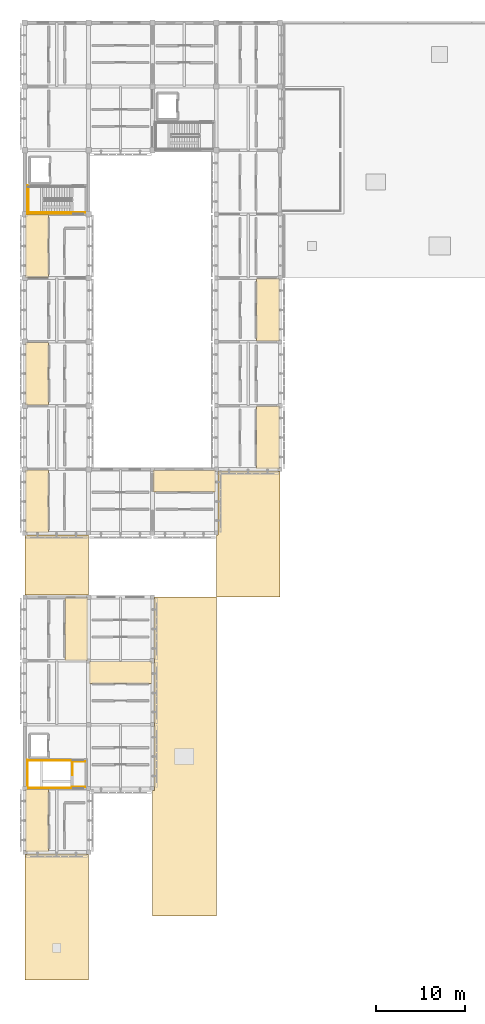
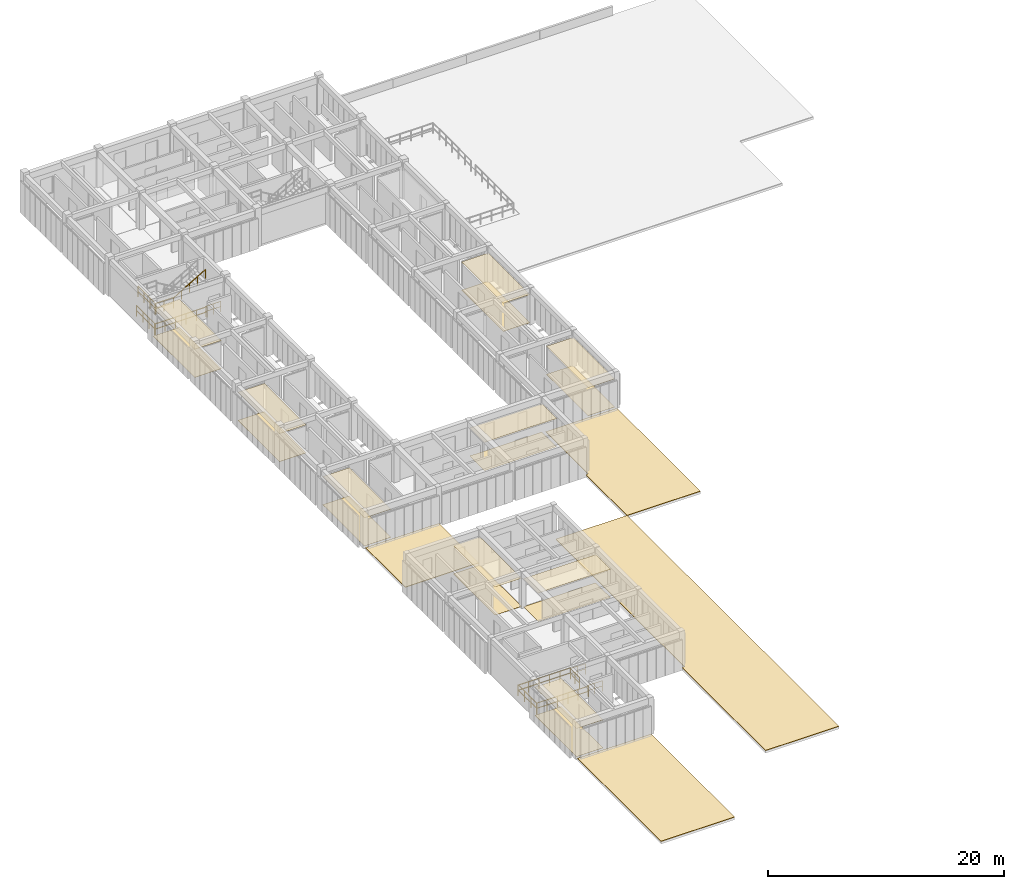
# One storey, part 64 of 67: 22 coverings, 12 railings.
"""IFC4 building model written with IfcOpenShell, lengths in metres."""

from ifc_helpers import new_model, si_unit, direction, frame, origin, origin_2d, place, context, subcontext, project, spatial, polyline, circle, outline, extrude, material, layer, layer_set, type_object, element, save


model = new_model("IFC4")

# Units and contexts
model_context = context("Model", 3, precision=1e-05, world=origin(), true_north=direction((0.0, 1.0)))
body_context = subcontext(model_context, "Body", "Model", "MODEL_VIEW")
ifc_project = project(units=[si_unit("LENGTHUNIT", "METRE"), si_unit("AREAUNIT", "SQUARE_METRE"), si_unit("VOLUMEUNIT", "CUBIC_METRE"), si_unit("PLANEANGLEUNIT", "RADIAN"), si_unit("MASSUNIT", "GRAM", prefix="KILO")], contexts=[model_context])

# Site, building, storey
site_placement = place(None, origin())
site = spatial("IfcSite", under=ifc_project, at=site_placement, CompositionType="ELEMENT")
building_placement = place(site_placement, origin())
building = spatial("IfcBuilding", under=site, at=building_placement, Name="Aldebral Square Health Centre", CompositionType="ELEMENT")
storey_placement = place(building_placement, frame((0.0, 0.0, 13.5)))
storey = spatial("IfcBuildingStorey", under=building, at=storey_placement, Name="L03", CompositionType="ELEMENT", Elevation=13.5)

# Coverings
ifc_material_1 = material(Name="Hygienic acoustic mineral ceiling tile")
ifc_layer_1 = layer(ifc_material_1, 0.02001953125, Name="Hygienic acoustic mineral ceiling tile")
ifc_layer_set_1 = layer_set([ifc_layer_1], Name="Hygienic acoustic mineral ceiling tile")
covering_type_1 = type_object("IfcCoveringType", Name="COV-CLG-AC", PredefinedType="CEILING", material=ifc_layer_set_1)
covering_1_placement = place(storey_placement, frame((0.0, 0.0, 2.909912109375)))
element("IfcCovering", 1, at=covering_1_placement, inside=storey, type_object=covering_type_1, Name="L03 Dental Clinic Operatory 1.9W acoustic ceiling", PredefinedType="CEILING", context=body_context, shape_type="SweptSolid", body=[
    extrude(outline(polyline([(0.06005859375, 57.659912109375), (2.659912109375, 57.659912109375), (2.659912109375, 64.739990234375), (0.06005859375, 64.739990234375), (0.06005859375, 57.659912109375)])), origin(), (0.0, 0.0, 1.0), 0.02001953125),
])
covering_2_placement = place(storey_placement, frame((0.0, 0.0, 2.909912109375)))
element("IfcCovering", 2, at=covering_2_placement, inside=storey, type_object=covering_type_1, Name="L03 Paediatric Examination Room 1.11W acoustic ceiling", PredefinedType="CEILING", context=body_context, shape_type="SweptSolid", body=[
    extrude(outline(polyline([(0.06005859375, 72.06005859375), (2.659912109375, 72.06005859375), (2.659912109375, 79.139892578125), (0.06005859375, 79.139892578125), (0.06005859375, 72.06005859375)])), origin(), (0.0, 0.0, 1.0), 0.02001953125),
])
covering_3_placement = place(storey_placement, frame((0.0, 0.0, 2.909912109375)))
element("IfcCovering", 3, at=covering_3_placement, inside=storey, type_object=covering_type_1, Name="L03 Dental Sterilization Room 1.13W acoustic ceiling", PredefinedType="CEILING", context=body_context, shape_type="SweptSolid", body=[
    extrude(outline(polyline([(0.06005859375, 86.4599609375), (2.659912109375, 86.4599609375), (2.659912109375, 93.5400390625), (0.06005859375, 93.5400390625), (0.06005859375, 86.4599609375)])), origin(), (0.0, 0.0, 1.0), 0.02001953125),
])
covering_4_placement = place(storey_placement, frame((0.0, 0.0, 2.909912109375)))
element("IfcCovering", 4, at=covering_4_placement, inside=storey, type_object=covering_type_1, Name="L03 Staff Toilet 3.9N acoustic ceiling", PredefinedType="CEILING", context=body_context, shape_type="SweptSolid", body=[
    extrude(outline(polyline([(14.4599609375, 62.239990234375), (21.5400390625, 62.239990234375), (21.5400390625, 64.739990234375), (14.4599609375, 64.739990234375), (14.4599609375, 62.239990234375)])), origin(), (0.0, 0.0, 1.0), 0.02001953125),
])
covering_5_placement = place(storey_placement, frame((0.0, 0.0, 2.909912109375)))
element("IfcCovering", 5, at=covering_5_placement, inside=storey, type_object=covering_type_1, Name="L03 Oral Hygiene Suite 4.10E acoustic ceiling", PredefinedType="CEILING", context=body_context, shape_type="SweptSolid", body=[
    extrude(outline(polyline([(26.139892578125, 64.860107421875), (28.739990234375, 64.860107421875), (28.739990234375, 71.93994140625), (26.139892578125, 71.93994140625), (26.139892578125, 64.860107421875)])), origin(), (0.0, 0.0, 1.0), 0.02001953125),
])
covering_6_placement = place(storey_placement, frame((0.0, 0.0, 2.909912109375)))
element("IfcCovering", 6, at=covering_6_placement, inside=storey, type_object=covering_type_1, Name="L03 Dental Clinic Operatory 4.12E acoustic ceiling", PredefinedType="CEILING", context=body_context, shape_type="SweptSolid", body=[
    extrude(outline(polyline([(26.139892578125, 79.260009765625), (28.739990234375, 79.260009765625), (28.739990234375, 86.340087890625), (26.139892578125, 86.340087890625), (26.139892578125, 79.260009765625)])), origin(), (0.0, 0.0, 1.0), 0.02001953125),
])
covering_7_placement = place(storey_placement, frame((0.0, 0.0, 2.909912109375)))
element("IfcCovering", 7, at=covering_7_placement, inside=storey, type_object=covering_type_1, Name="L03 Health Education Studio 1.4W acoustic ceiling", PredefinedType="CEILING", context=body_context, shape_type="SweptSolid", body=[
    extrude(outline(polyline([(0.06005859375, 21.659912109375), (2.659912109375, 21.659912109375), (2.659912109375, 28.739990234375), (0.06005859375, 28.739990234375), (0.06005859375, 21.659912109375)])), origin(), (0.0, 0.0, 1.0), 0.02001953125),
])
covering_8_placement = place(storey_placement, frame((0.0, 0.0, 2.909912109375)))
element("IfcCovering", 8, at=covering_8_placement, inside=storey, type_object=covering_type_1, Name="L03 Health Education Studio 1.7E acoustic ceiling", PredefinedType="CEILING", context=body_context, shape_type="SweptSolid", body=[
    extrude(outline(polyline([(4.5400390625, 43.260009765625), (7.139892578125, 43.260009765625), (7.139892578125, 50.340087890625), (4.5400390625, 50.340087890625), (4.5400390625, 43.260009765625)])), origin(), (0.0, 0.0, 1.0), 0.02001953125),
])
covering_9_placement = place(storey_placement, frame((0.0, 0.0, 2.909912109375)))
element("IfcCovering", 9, at=covering_9_placement, inside=storey, type_object=covering_type_1, Name="L03 Health Education Studio 2.6N acoustic ceiling", PredefinedType="CEILING", context=body_context, shape_type="SweptSolid", body=[
    extrude(outline(polyline([(7.260009765625, 40.639892578125), (14.340087890625, 40.639892578125), (14.340087890625, 43.139892578125), (7.260009765625, 43.139892578125), (7.260009765625, 40.639892578125)])), origin(), (0.0, 0.0, 1.0), 0.02001953125),
])
ifc_material_2 = material(Name="Antimicrobial clinical vinyl flooring")
ifc_layer_2 = layer(ifc_material_2, 0.014892578125, Name="Antimicrobial clinical vinyl flooring")
ifc_layer_set_2 = layer_set([ifc_layer_2], Name="Antimicrobial clinical vinyl flooring")
covering_type_2 = type_object("IfcCoveringType", Name="COV-FLR-VN", PredefinedType="FLOORING", material=ifc_layer_set_2)
covering_10_placement = place(storey_placement, origin())
element("IfcCovering", 10, at=covering_10_placement, inside=storey, type_object=covering_type_2, Name="L03 Dental Clinic Operatory 1.9W clinical flooring", PredefinedType="FLOORING", context=body_context, shape_type="SweptSolid", body=[
    extrude(outline(polyline([(0.06005859375, 57.659912109375), (2.659912109375, 57.659912109375), (2.659912109375, 64.739990234375), (0.06005859375, 64.739990234375), (0.06005859375, 57.659912109375)])), origin(), (0.0, 0.0, 1.0), 0.014892578125),
])
covering_11_placement = place(storey_placement, origin())
element("IfcCovering", 11, at=covering_11_placement, inside=storey, type_object=covering_type_2, Name="L03 Paediatric Examination Room 1.11W clinical flooring", PredefinedType="FLOORING", context=body_context, shape_type="SweptSolid", body=[
    extrude(outline(polyline([(0.06005859375, 72.06005859375), (2.659912109375, 72.06005859375), (2.659912109375, 79.139892578125), (0.06005859375, 79.139892578125), (0.06005859375, 72.06005859375)])), origin(), (0.0, 0.0, 1.0), 0.014892578125),
])
covering_12_placement = place(storey_placement, origin())
element("IfcCovering", 12, at=covering_12_placement, inside=storey, type_object=covering_type_2, Name="L03 Dental Sterilization Room 1.13W clinical flooring", PredefinedType="FLOORING", context=body_context, shape_type="SweptSolid", body=[
    extrude(outline(polyline([(0.06005859375, 86.4599609375), (2.659912109375, 86.4599609375), (2.659912109375, 93.5400390625), (0.06005859375, 93.5400390625), (0.06005859375, 86.4599609375)])), origin(), (0.0, 0.0, 1.0), 0.014892578125),
])
covering_13_placement = place(storey_placement, origin())
element("IfcCovering", 13, at=covering_13_placement, inside=storey, type_object=covering_type_2, Name="L03 Staff Toilet 3.9N clinical flooring", PredefinedType="FLOORING", context=body_context, shape_type="SweptSolid", body=[
    extrude(outline(polyline([(14.4599609375, 62.239990234375), (21.5400390625, 62.239990234375), (21.5400390625, 64.739990234375), (14.4599609375, 64.739990234375), (14.4599609375, 62.239990234375)])), origin(), (0.0, 0.0, 1.0), 0.014892578125),
])
covering_14_placement = place(storey_placement, origin())
element("IfcCovering", 14, at=covering_14_placement, inside=storey, type_object=covering_type_2, Name="L03 Oral Hygiene Suite 4.10E clinical flooring", PredefinedType="FLOORING", context=body_context, shape_type="SweptSolid", body=[
    extrude(outline(polyline([(26.139892578125, 64.860107421875), (28.739990234375, 64.860107421875), (28.739990234375, 71.93994140625), (26.139892578125, 71.93994140625), (26.139892578125, 64.860107421875)])), origin(), (0.0, 0.0, 1.0), 0.014892578125),
])
covering_15_placement = place(storey_placement, origin())
element("IfcCovering", 15, at=covering_15_placement, inside=storey, type_object=covering_type_2, Name="L03 Dental Clinic Operatory 4.12E clinical flooring", PredefinedType="FLOORING", context=body_context, shape_type="SweptSolid", body=[
    extrude(outline(polyline([(26.139892578125, 79.260009765625), (28.739990234375, 79.260009765625), (28.739990234375, 86.340087890625), (26.139892578125, 86.340087890625), (26.139892578125, 79.260009765625)])), origin(), (0.0, 0.0, 1.0), 0.014892578125),
])
covering_16_placement = place(storey_placement, origin())
element("IfcCovering", 16, at=covering_16_placement, inside=storey, type_object=covering_type_2, Name="L03 Health Education Studio 1.4W clinical flooring", PredefinedType="FLOORING", context=body_context, shape_type="SweptSolid", body=[
    extrude(outline(polyline([(0.06005859375, 21.659912109375), (2.659912109375, 21.659912109375), (2.659912109375, 28.739990234375), (0.06005859375, 28.739990234375), (0.06005859375, 21.659912109375)])), origin(), (0.0, 0.0, 1.0), 0.014892578125),
])
covering_17_placement = place(storey_placement, origin())
element("IfcCovering", 17, at=covering_17_placement, inside=storey, type_object=covering_type_2, Name="L03 Health Education Studio 1.7E clinical flooring", PredefinedType="FLOORING", context=body_context, shape_type="SweptSolid", body=[
    extrude(outline(polyline([(4.5400390625, 43.260009765625), (7.139892578125, 43.260009765625), (7.139892578125, 50.340087890625), (4.5400390625, 50.340087890625), (4.5400390625, 43.260009765625)])), origin(), (0.0, 0.0, 1.0), 0.014892578125),
])
covering_18_placement = place(storey_placement, origin())
element("IfcCovering", 18, at=covering_18_placement, inside=storey, type_object=covering_type_2, Name="L03 Health Education Studio 2.6N clinical flooring", PredefinedType="FLOORING", context=body_context, shape_type="SweptSolid", body=[
    extrude(outline(polyline([(7.260009765625, 40.639892578125), (14.340087890625, 40.639892578125), (14.340087890625, 43.139892578125), (7.260009765625, 43.139892578125), (7.260009765625, 40.639892578125)])), origin(), (0.0, 0.0, 1.0), 0.014892578125),
])
ifc_material_3 = material(Name="Reflective insulated membrane roofing")
ifc_layer_3 = layer(ifc_material_3, 0.050048828125, Name="Reflective insulated membrane roofing")
ifc_layer_set_3 = layer_set([ifc_layer_3], Name="Reflective insulated membrane roofing")
covering_type_3 = type_object("IfcCoveringType", Name="COV-RF-50", PredefinedType="ROOFING", material=ifc_layer_set_3)
covering_19_placement = place(storey_placement, origin())
element("IfcCovering", 19, at=covering_19_placement, inside=storey, type_object=covering_type_3, Name="L02 V4 roof slab 1 insulated roof membrane", PredefinedType="ROOFING", context=body_context, shape_type="SweptSolid", body=[
    extrude(outline(polyline([(0.0, 57.3798828125), (7.199951171875, 57.3798828125), (7.199951171875, 50.6201171875), (0.0, 50.6201171875), (0.0, 57.3798828125)])), origin(), (0.0, 0.0, 1.0), 0.050048828125),
])
covering_20_placement = place(storey_placement, origin())
element("IfcCovering", 20, at=covering_20_placement, inside=storey, type_object=covering_type_3, Name="L02 V4 roof slab 2 insulated roof membrane", PredefinedType="ROOFING", context=body_context, shape_type="SweptSolid", body=[
    extrude(outline(polyline([(21.60009765625, 57.3798828125), (21.820068359375, 57.3798828125), (21.820068359375, 64.580078125), (28.800048828125, 64.580078125), (28.800048828125, 57.60009765625), (28.800048828125, 50.39990234375), (21.60009765625, 50.39990234375), (21.60009765625, 57.3798828125)])), origin(), (0.0, 0.0, 1.0), 0.050048828125),
])
covering_21_placement = place(storey_placement, origin())
element("IfcCovering", 21, at=covering_21_placement, inside=storey, type_object=covering_type_3, Name="L02 V6 roof slab 1 insulated roof membrane", PredefinedType="ROOFING", context=body_context, shape_type="SweptSolid", body=[
    extrude(outline(polyline([(0.0, 14.39990234375), (0.0, 21.3798828125), (7.199951171875, 21.3798828125), (7.199951171875, 14.39990234375), (7.199951171875, 7.199951171875), (0.0, 7.199951171875), (0.0, 14.39990234375)])), origin(), (0.0, 0.0, 1.0), 0.050048828125),
])
covering_22_placement = place(storey_placement, origin())
element("IfcCovering", 22, at=covering_22_placement, inside=storey, type_object=covering_type_3, Name="L02 V6 roof slab 2 insulated roof membrane", PredefinedType="ROOFING", context=body_context, shape_type="SweptSolid", body=[
    extrude(outline(polyline([(14.39990234375, 14.39990234375), (14.39990234375, 21.60009765625), (14.39990234375, 28.580078125), (14.6201171875, 28.580078125), (14.6201171875, 50.39990234375), (21.60009765625, 50.39990234375), (21.60009765625, 43.199951171875), (21.60009765625, 36.0), (21.60009765625, 28.800048828125), (21.60009765625, 21.60009765625), (21.60009765625, 14.39990234375), (14.39990234375, 14.39990234375)])), origin(), (0.0, 0.0, 1.0), 0.050048828125),
])

# Railings
ifc_material_4 = material(Name="Painted steel S355JR stair guard", Category="steel")
railing_type_1 = type_object("IfcRailingType", Name="RL-ST-GRD", PredefinedType="GUARDRAIL", material=ifc_material_4)
railing_1_placement = place(storey_placement, frame((2.18505859375, 93.77001953125, 2.02490234375)))
element("IfcRailing", 23, at=railing_1_placement, inside=storey, type_object=railing_type_1, Name="L03 ST-01 stair guard 4", PredefinedType="GUARDRAIL", context=body_context, shape_type="SweptSolid", body=[
    extrude(circle(Radius=0.02392578125, at=origin_2d()), frame((0.0, 0.0, 1.09619140625), z_axis=(-1.0, 0.0, 0.0), x_axis=(0.0, -1.0, 0.0)), (0.0, 0.0, 1.0), 1.80517578125),
    extrude(circle(Radius=0.02392578125, at=origin_2d()), frame((0.0, 0.0, 0.56005859375), z_axis=(-1.0, 0.0, 0.0), x_axis=(0.0, -1.0, 0.0)), (0.0, 0.0, 1.0), 1.80517578125),
    extrude(circle(Radius=0.02099609375, at=origin_2d()), origin(), (0.0, 0.0, 1.0), 1.072021484375),
    extrude(circle(Radius=0.02099609375, at=origin_2d()), frame((-0.902587890625, 0.0, 0.0)), (0.0, 0.0, 1.0), 1.072021484375),
    extrude(circle(Radius=0.02099609375, at=origin_2d()), frame((-1.80517578125, 0.0, 0.0)), (0.0, 0.0, 1.0), 1.072021484375),
])
railing_2_placement = place(storey_placement, frame((0.429931640625, 96.719970703125, 2.02490234375)))
element("IfcRailing", 24, at=railing_2_placement, inside=storey, type_object=railing_type_1, Name="L03 ST-01 stair guard 5", PredefinedType="GUARDRAIL", context=body_context, shape_type="SweptSolid", body=[
    extrude(circle(Radius=0.02392578125, at=origin_2d()), frame((0.0, 0.0, 1.09619140625), z_axis=(0.0, -1.0, 0.0), x_axis=(1.0, 0.0, 0.0)), (0.0, 0.0, 1.0), 3.0),
    extrude(circle(Radius=0.02392578125, at=origin_2d()), frame((0.0, 0.0, 0.56005859375), z_axis=(0.0, -1.0, 0.0), x_axis=(1.0, 0.0, 0.0)), (0.0, 0.0, 1.0), 3.0),
    extrude(circle(Radius=0.02099609375, at=origin_2d()), origin(), (0.0, 0.0, 1.0), 1.072021484375),
    extrude(circle(Radius=0.02099609375, at=origin_2d()), frame((0.0, -1.0, 0.0)), (0.0, 0.0, 1.0), 1.072021484375),
    extrude(circle(Radius=0.02099609375, at=origin_2d()), frame((0.0, -2.0, 0.0)), (0.0, 0.0, 1.0), 1.072021484375),
    extrude(circle(Radius=0.02099609375, at=origin_2d()), frame((0.0, -3.0, 0.0)), (0.0, 0.0, 1.0), 1.072021484375),
])
railing_3_placement = place(storey_placement, frame((6.820068359375, 93.77001953125, 0.0)))
element("IfcRailing", 25, at=railing_3_placement, inside=storey, type_object=railing_type_1, Name="L03 ST-01 stair guard 9", PredefinedType="GUARDRAIL", context=body_context, shape_type="SweptSolid", body=[
    extrude(circle(Radius=0.02392578125, at=origin_2d()), frame((0.0, 0.0, 1.09619140625), z_axis=(-1.0, 0.0, 0.0), x_axis=(0.0, -1.0, 0.0)), (0.0, 0.0, 1.0), 1.5),
    extrude(circle(Radius=0.02392578125, at=origin_2d()), frame((0.0, 0.0, 0.56005859375), z_axis=(-1.0, 0.0, 0.0), x_axis=(0.0, -1.0, 0.0)), (0.0, 0.0, 1.0), 1.5),
    extrude(circle(Radius=0.02099609375, at=origin_2d()), origin(), (0.0, 0.0, 1.0), 1.072021484375),
    extrude(circle(Radius=0.02099609375, at=origin_2d()), frame((-0.75, 0.0, 0.0)), (0.0, 0.0, 1.0), 1.072021484375),
    extrude(circle(Radius=0.02099609375, at=origin_2d()), frame((-1.5, 0.0, 0.0)), (0.0, 0.0, 1.0), 1.072021484375),
])
railing_4_placement = place(storey_placement, frame((5.419921875, 93.669921875, 0.0)))
element("IfcRailing", 26, at=railing_4_placement, inside=storey, type_object=railing_type_1, Name="L03 ST-01 stair guard 11", PredefinedType="GUARDRAIL", context=body_context, shape_type="SweptSolid", body=[
    extrude(circle(Radius=0.02392578125, at=origin_2d()), frame((0.0, 0.0, 1.09619140625), z_axis=(-1.0, 0.0, 0.0), x_axis=(0.0, -1.0, 0.0)), (0.0, 0.0, 1.0), 5.139892578125),
    extrude(circle(Radius=0.02392578125, at=origin_2d()), frame((0.0, 0.0, 0.56005859375), z_axis=(-1.0, 0.0, 0.0), x_axis=(0.0, -1.0, 0.0)), (0.0, 0.0, 1.0), 5.139892578125),
    extrude(circle(Radius=0.02099609375, at=origin_2d()), origin(), (0.0, 0.0, 1.0), 1.072021484375),
    extrude(circle(Radius=0.02099609375, at=origin_2d()), frame((-1.028076171875, 0.0, 0.0)), (0.0, 0.0, 1.0), 1.072021484375),
    extrude(circle(Radius=0.02099609375, at=origin_2d()), frame((-2.055908203125, 0.0, 0.0)), (0.0, 0.0, 1.0), 1.072021484375),
    extrude(circle(Radius=0.02099609375, at=origin_2d()), frame((-3.083984375, 0.0, 0.0)), (0.0, 0.0, 1.0), 1.072021484375),
    extrude(circle(Radius=0.02099609375, at=origin_2d()), frame((-4.11181640625, 0.0, 0.0)), (0.0, 0.0, 1.0), 1.072021484375),
    extrude(circle(Radius=0.02099609375, at=origin_2d()), frame((-5.139892578125, 0.0, 0.0)), (0.0, 0.0, 1.0), 1.072021484375),
])
railing_5_placement = place(storey_placement, frame((0.330078125, 96.820068359375, 0.0)))
element("IfcRailing", 27, at=railing_5_placement, inside=storey, type_object=railing_type_1, Name="L03 ST-01 stair guard 12", PredefinedType="GUARDRAIL", context=body_context, shape_type="SweptSolid", body=[
    extrude(circle(Radius=0.02392578125, at=origin_2d()), frame((0.0, 0.0, 1.09619140625), z_axis=(0.0, -1.0, 0.0), x_axis=(1.0, 0.0, 0.0)), (0.0, 0.0, 1.0), 3.199951171875),
    extrude(circle(Radius=0.02392578125, at=origin_2d()), frame((0.0, 0.0, 0.56005859375), z_axis=(0.0, -1.0, 0.0), x_axis=(1.0, 0.0, 0.0)), (0.0, 0.0, 1.0), 3.199951171875),
    extrude(circle(Radius=0.02099609375, at=origin_2d()), origin(), (0.0, 0.0, 1.0), 1.072021484375),
    extrude(circle(Radius=0.02099609375, at=origin_2d()), frame((0.0, -1.066650390625, 0.0)), (0.0, 0.0, 1.0), 1.072021484375),
    extrude(circle(Radius=0.02099609375, at=origin_2d()), frame((0.0, -2.13330078125, 0.0)), (0.0, 0.0, 1.0), 1.072021484375),
    extrude(circle(Radius=0.02099609375, at=origin_2d()), frame((0.0, -3.199951171875, 0.0)), (0.0, 0.0, 1.0), 1.072021484375),
])
railing_6_placement = place(storey_placement, frame((5.3701171875, 31.919921875, 0.0)))
element("IfcRailing", 28, at=railing_6_placement, inside=storey, type_object=railing_type_1, Name="L03 ST-05 top well guard 1", PredefinedType="GUARDRAIL", context=body_context, shape_type="SweptSolid", body=[
    extrude(circle(Radius=0.02392578125, at=origin_2d()), frame((0.0, 0.0, 1.09619140625), z_axis=(0.0, -1.0, 0.0), x_axis=(1.0, 0.0, 0.0)), (0.0, 0.0, 1.0), 1.599853515625),
    extrude(circle(Radius=0.02392578125, at=origin_2d()), frame((0.0, 0.0, 0.56005859375), z_axis=(0.0, -1.0, 0.0), x_axis=(1.0, 0.0, 0.0)), (0.0, 0.0, 1.0), 1.599853515625),
    extrude(circle(Radius=0.02099609375, at=origin_2d()), origin(), (0.0, 0.0, 1.0), 1.072021484375),
    extrude(circle(Radius=0.02099609375, at=origin_2d()), frame((0.0, -0.7998046875, 0.0)), (0.0, 0.0, 1.0), 1.072021484375),
    extrude(circle(Radius=0.02099609375, at=origin_2d()), frame((0.0, -1.599853515625, 0.0)), (0.0, 0.0, 1.0), 1.072021484375),
])
for number, where, name in (
    (29, (5.419921875, 31.969970703125, 0.0), "L03 ST-05 top well guard 2"),
    (30, (5.419921875, 28.8701171875, 0.0), "L03 ST-05 top well guard 3"),
):
    element("IfcRailing", number, at=place(storey_placement, frame(where)), inside=storey, type_object=railing_type_1, Name=name, PredefinedType="GUARDRAIL", context=body_context, shape_type="SweptSolid", body=[
        extrude(circle(Radius=0.02392578125, at=origin_2d()), frame((0.0, 0.0, 1.09619140625), z_axis=(-1.0, 0.0, 0.0), x_axis=(0.0, -1.0, 0.0)), (0.0, 0.0, 1.0), 5.139892578125),
        extrude(circle(Radius=0.02392578125, at=origin_2d()), frame((0.0, 0.0, 0.56005859375), z_axis=(-1.0, 0.0, 0.0), x_axis=(0.0, -1.0, 0.0)), (0.0, 0.0, 1.0), 5.139892578125),
        extrude(circle(Radius=0.02099609375, at=origin_2d()), origin(), (0.0, 0.0, 1.0), 1.072021484375),
        extrude(circle(Radius=0.02099609375, at=origin_2d()), frame((-1.028076171875, 0.0, 0.0)), (0.0, 0.0, 1.0), 1.072021484375),
        extrude(circle(Radius=0.02099609375, at=origin_2d()), frame((-2.055908203125, 0.0, 0.0)), (0.0, 0.0, 1.0), 1.072021484375),
        extrude(circle(Radius=0.02099609375, at=origin_2d()), frame((-3.083984375, 0.0, 0.0)), (0.0, 0.0, 1.0), 1.072021484375),
        extrude(circle(Radius=0.02099609375, at=origin_2d()), frame((-4.11181640625, 0.0, 0.0)), (0.0, 0.0, 1.0), 1.072021484375),
        extrude(circle(Radius=0.02099609375, at=origin_2d()), frame((-5.139892578125, 0.0, 0.0)), (0.0, 0.0, 1.0), 1.072021484375),
    ])
railing_7_placement = place(storey_placement, frame((0.330078125, 32.02001953125, 0.0)))
element("IfcRailing", 31, at=railing_7_placement, inside=storey, type_object=railing_type_1, Name="L03 ST-05 top well guard 4", PredefinedType="GUARDRAIL", context=body_context, shape_type="SweptSolid", body=[
    extrude(circle(Radius=0.02392578125, at=origin_2d()), frame((0.0, 0.0, 1.09619140625), z_axis=(0.0, -1.0, 0.0), x_axis=(1.0, 0.0, 0.0)), (0.0, 0.0, 1.0), 3.199951171875),
    extrude(circle(Radius=0.02392578125, at=origin_2d()), frame((0.0, 0.0, 0.56005859375), z_axis=(0.0, -1.0, 0.0), x_axis=(1.0, 0.0, 0.0)), (0.0, 0.0, 1.0), 3.199951171875),
    extrude(circle(Radius=0.02099609375, at=origin_2d()), origin(), (0.0, 0.0, 1.0), 1.072021484375),
    extrude(circle(Radius=0.02099609375, at=origin_2d()), frame((0.0, -1.066650390625, 0.0)), (0.0, 0.0, 1.0), 1.072021484375),
    extrude(circle(Radius=0.02099609375, at=origin_2d()), frame((0.0, -2.13330078125, 0.0)), (0.0, 0.0, 1.0), 1.072021484375),
    extrude(circle(Radius=0.02099609375, at=origin_2d()), frame((0.0, -3.199951171875, 0.0)), (0.0, 0.0, 1.0), 1.072021484375),
])
for number, where, name in (
    (32, (6.820068359375, 31.8701171875, 0.0), "L03 ST-05 top well guard 5"),
    (33, (6.820068359375, 28.969970703125, 0.0), "L03 ST-05 top well guard 6"),
):
    element("IfcRailing", number, at=place(storey_placement, frame(where)), inside=storey, type_object=railing_type_1, Name=name, PredefinedType="GUARDRAIL", context=body_context, shape_type="SweptSolid", body=[
        extrude(circle(Radius=0.02392578125, at=origin_2d()), frame((0.0, 0.0, 1.09619140625), z_axis=(-1.0, 0.0, 0.0), x_axis=(0.0, -1.0, 0.0)), (0.0, 0.0, 1.0), 1.5),
        extrude(circle(Radius=0.02392578125, at=origin_2d()), frame((0.0, 0.0, 0.56005859375), z_axis=(-1.0, 0.0, 0.0), x_axis=(0.0, -1.0, 0.0)), (0.0, 0.0, 1.0), 1.5),
        extrude(circle(Radius=0.02099609375, at=origin_2d()), origin(), (0.0, 0.0, 1.0), 1.072021484375),
        extrude(circle(Radius=0.02099609375, at=origin_2d()), frame((-0.75, 0.0, 0.0)), (0.0, 0.0, 1.0), 1.072021484375),
        extrude(circle(Radius=0.02099609375, at=origin_2d()), frame((-1.5, 0.0, 0.0)), (0.0, 0.0, 1.0), 1.072021484375),
    ])
ifc_material_5 = material(Name="Brushed stainless steel handrail", Category="steel")
railing_type_2 = type_object("IfcRailingType", Name="RL-ST-HND", PredefinedType="HANDRAIL", material=ifc_material_5)
railing_8_placement = place(storey_placement, frame((2.18505859375, 93.77001953125, 2.19384765625)))
element("IfcRailing", 34, at=railing_8_placement, inside=storey, type_object=railing_type_2, Name="L03 ST-01 stair handrail 2", PredefinedType="HANDRAIL", context=body_context, shape_type="SweptSolid", body=[
    extrude(circle(Radius=0.02392578125, at=origin_2d()), frame((0.0, 0.0, 0.8759765625), z_axis=(0.860481960309, 0.0, 0.509480908359), x_axis=(0.0, 1.0, 0.0)), (0.0, 0.0, 1.0), 3.643310546875),
    extrude(circle(Radius=0.02099609375, at=origin_2d()), origin(), (0.0, 0.0, 1.0), 0.851806640625),
    extrude(circle(Radius=0.02099609375, at=origin_2d()), frame((0.78369140625, 0.0, 0.464111328125)), (0.0, 0.0, 1.0), 0.851806640625),
    extrude(circle(Radius=0.02099609375, at=origin_2d()), frame((1.5673828125, 0.0, 0.92822265625)), (0.0, 0.0, 1.0), 0.851806640625),
    extrude(circle(Radius=0.02099609375, at=origin_2d()), frame((2.351318359375, 0.0, 1.39208984375)), (0.0, 0.0, 1.0), 0.851806640625),
    extrude(circle(Radius=0.02099609375, at=origin_2d()), frame((3.135009765625, 0.0, 1.856201171875)), (0.0, 0.0, 1.0), 0.851806640625),
])

save(model, "model.ifc")
